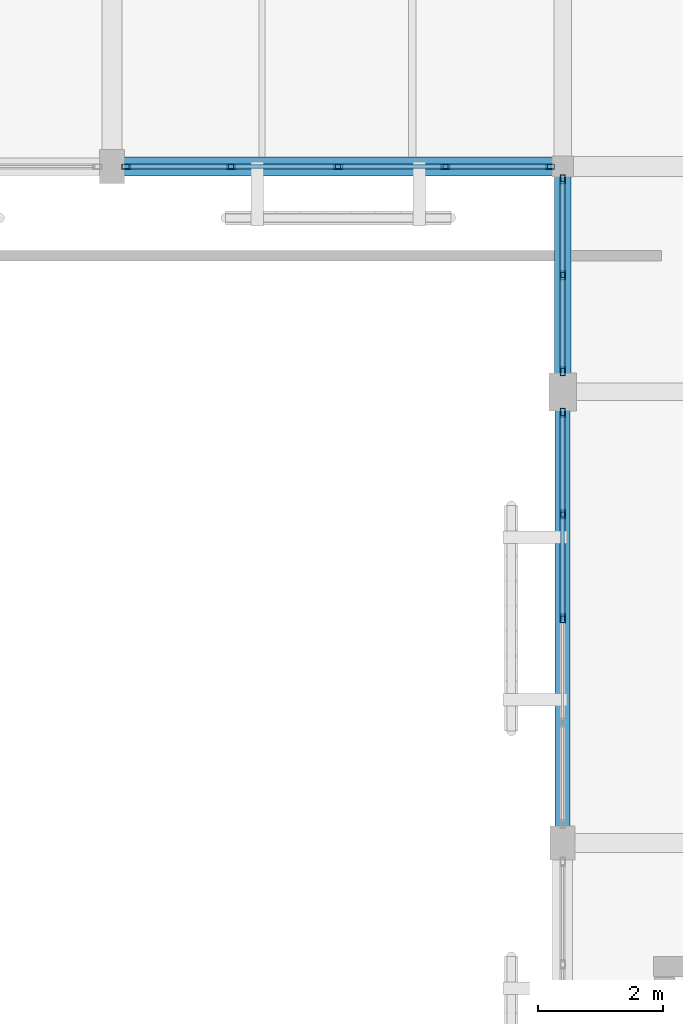
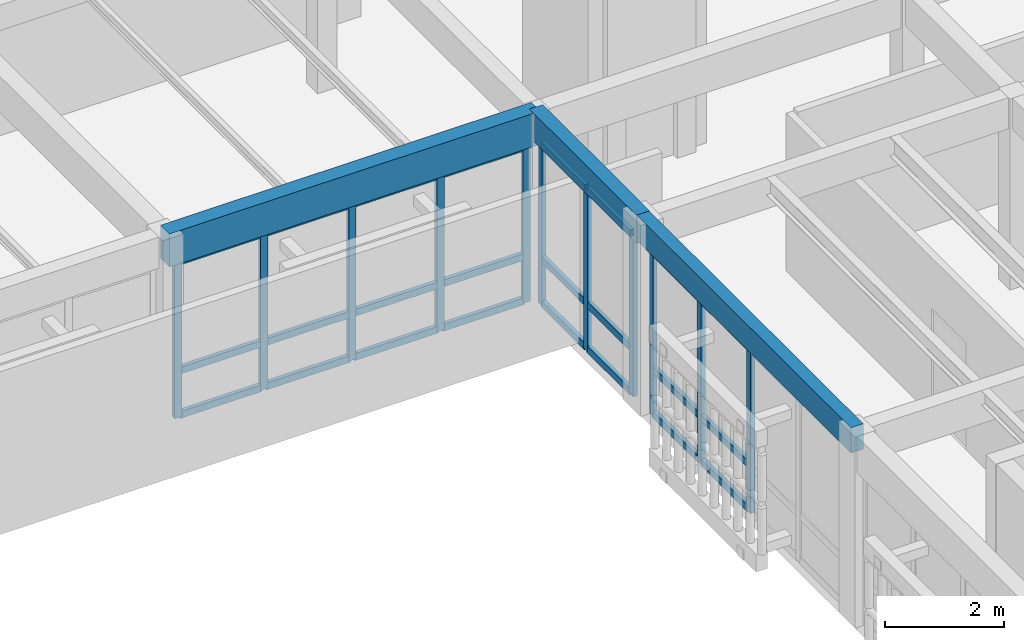
# One storey, part 154 of 217: 35 members, 3 beams, 3 elements without a shape of their own.
"""IFC4 building model written with IfcOpenShell, lengths in metres."""

from ifc_helpers import new_model, si_unit, direction, frame, origin, origin_2d, place, context, subcontext, project, spatial, rectangle, hollow_rectangle, extrude, material, layer, layer_set, material_profile, profile_set, type_object, element, aggregate, save


model = new_model("IFC4")

# Units and contexts
model_context = context("Model", 3, precision=1e-05, world=origin(), true_north=direction((0.0, 1.0)))
body_context = subcontext(model_context, "Body", "Model", "MODEL_VIEW")
ifc_project = project(units=[si_unit("LENGTHUNIT", "METRE"), si_unit("AREAUNIT", "SQUARE_METRE"), si_unit("VOLUMEUNIT", "CUBIC_METRE"), si_unit("PLANEANGLEUNIT", "RADIAN"), si_unit("MASSUNIT", "GRAM", prefix="KILO")], contexts=[model_context])

# Site, building, storey
site_placement = place(None, origin())
site = spatial("IfcSite", under=ifc_project, at=site_placement, CompositionType="ELEMENT")
building_placement = place(site_placement, origin())
building = spatial("IfcBuilding", under=site, at=building_placement, Name="Mazaris Harbour Polytechnic", CompositionType="ELEMENT")
storey_placement = place(building_placement, frame((0.0, 0.0, 9.60009765625)))
storey = spatial("IfcBuildingStorey", under=building, at=storey_placement, Name="L02", CompositionType="ELEMENT", Elevation=9.60009765625)

# Curtain wall, members
ifc_material_1 = material(Name="Anodised Bronze Aluminium and Low-E Glass", Category="aluminium")
ifc_layer = layer(ifc_material_1, 0.169921875, Name="Anodised Bronze Aluminium and Low-E Glass")
ifc_layer_set = layer_set([ifc_layer], Name="Anodised Bronze Aluminium and Low-E Glass")
curtain_wall_type = type_object("IfcCurtainWallType", Name="Studio North-Light Curtain Wall", PredefinedType="NOTDEFINED", material=ifc_layer_set)
curtain_wall_1_placement = place(storey_placement, origin())
curtain_wall_1 = element("IfcCurtainWall", 1, at=curtain_wall_1_placement, inside=storey, type_object=curtain_wall_type, Name="V5 L02 Curtain Wall 240", PredefinedType="NOTDEFINED")
ifc_material_2 = material(Name="Anodised Bronze Steel S355", Category="steel")
ifc_material_profile_1 = material_profile(ifc_material_2, hollow_rectangle(XDim=0.080078125, YDim=0.139892578125, WallThickness=0.00634765625, at=origin_2d()), Name="RHS 80x140x6.3")
ifc_profile_set_1 = profile_set([ifc_material_profile_1], Name="Anodised Bronze Steel S355")
member_type_1 = type_object("IfcMemberType", Name="Curtain Mullion RHS80x140", PredefinedType="MULLION", material=ifc_profile_set_1)
member_1_placement = place(storey_placement, frame((158.197998046875, 86.39990234375, 0.0), z_axis=(0.0, 0.0, 1.0), x_axis=(0.0, -1.0, 0.0)))
member_1 = element("IfcMember", 2, at=member_1_placement, type_object=member_type_1, Name="CW-03 mullion 1", PredefinedType="MULLION", context=body_context, shape_type="SweptSolid", body=[
    extrude(hollow_rectangle(XDim=0.080078125, YDim=0.139892578125, WallThickness=0.00634765625, at=origin_2d()), origin(), (0.0, 0.0, 1.0), 3.22998046875),
])
member_2_placement = place(storey_placement, frame((156.526611328125, 86.39990234375, 0.0), z_axis=(0.0, 0.0, 1.0), x_axis=(0.0, -1.0, 0.0)))
member_2 = element("IfcMember", 3, at=member_2_placement, type_object=member_type_1, Name="CW-03 mullion 2", PredefinedType="MULLION", context=body_context, shape_type="SweptSolid", body=[
    extrude(hollow_rectangle(XDim=0.080078125, YDim=0.139892578125, WallThickness=0.00634765625, at=origin_2d()), origin(), (0.0, 0.0, 1.0), 3.22998046875),
])
member_3_placement = place(storey_placement, frame((154.81494140625, 86.39990234375, 0.0), z_axis=(0.0, 0.0, 1.0), x_axis=(0.0, -1.0, 0.0)))
member_3 = element("IfcMember", 4, at=member_3_placement, type_object=member_type_1, Name="CW-03 mullion 3", PredefinedType="MULLION", context=body_context, shape_type="SweptSolid", body=[
    extrude(hollow_rectangle(XDim=0.080078125, YDim=0.139892578125, WallThickness=0.00634765625, at=origin_2d()), origin(), (0.0, 0.0, 1.0), 3.22998046875),
])
member_4_placement = place(storey_placement, frame((153.103515625, 86.39990234375, 0.0), z_axis=(0.0, 0.0, 1.0), x_axis=(0.0, -1.0, 0.0)))
member_4 = element("IfcMember", 5, at=member_4_placement, type_object=member_type_1, Name="CW-03 mullion 4", PredefinedType="MULLION", context=body_context, shape_type="SweptSolid", body=[
    extrude(hollow_rectangle(XDim=0.080078125, YDim=0.139892578125, WallThickness=0.00634765625, at=origin_2d()), origin(), (0.0, 0.0, 1.0), 3.22998046875),
])
member_5_placement = place(storey_placement, frame((151.431884765625, 86.39990234375, 0.0), z_axis=(0.0, 0.0, 1.0), x_axis=(0.0, -1.0, 0.0)))
member_5 = element("IfcMember", 6, at=member_5_placement, type_object=member_type_1, Name="CW-03 mullion 5", PredefinedType="MULLION", context=body_context, shape_type="SweptSolid", body=[
    extrude(hollow_rectangle(XDim=0.080078125, YDim=0.139892578125, WallThickness=0.00634765625, at=origin_2d()), origin(), (0.0, 0.0, 1.0), 3.22998046875),
])

curtain_wall_2_placement = place(storey_placement, origin())
curtain_wall_2 = element("IfcCurtainWall", 7, at=curtain_wall_2_placement, inside=storey, type_object=curtain_wall_type, Name="V5 L02 Curtain Wall 247", PredefinedType="NOTDEFINED")
member_6_placement = place(storey_placement, frame((158.39990234375, 82.468017578125, 0.0), z_axis=(0.0, 0.0, 1.0), x_axis=(1.0, 0.0, 0.0)))
member_6 = element("IfcMember", 8, at=member_6_placement, type_object=member_type_1, Name="CW-03 mullion 1", PredefinedType="MULLION", context=body_context, shape_type="SweptSolid", body=[
    extrude(hollow_rectangle(XDim=0.080078125, YDim=0.139892578125, WallThickness=0.00634765625, at=origin_2d()), origin(), (0.0, 0.0, 1.0), 3.389892578125),
])
member_7_placement = place(storey_placement, frame((158.39990234375, 80.846435546875, 0.0), z_axis=(0.0, 0.0, 1.0), x_axis=(1.0, 0.0, 0.0)))
member_7 = element("IfcMember", 9, at=member_7_placement, type_object=member_type_1, Name="CW-03 mullion 2", PredefinedType="MULLION", context=body_context, shape_type="SweptSolid", body=[
    extrude(hollow_rectangle(XDim=0.080078125, YDim=0.139892578125, WallThickness=0.00634765625, at=origin_2d()), origin(), (0.0, 0.0, 1.0), 3.389892578125),
])
member_8_placement = place(storey_placement, frame((158.39990234375, 79.18505859375, 0.0), z_axis=(0.0, 0.0, 1.0), x_axis=(1.0, 0.0, 0.0)))
member_8 = element("IfcMember", 10, at=member_8_placement, type_object=member_type_1, Name="CW-03 mullion 3", PredefinedType="MULLION", context=body_context, shape_type="SweptSolid", body=[
    extrude(hollow_rectangle(XDim=0.080078125, YDim=0.139892578125, WallThickness=0.00634765625, at=origin_2d()), origin(), (0.0, 0.0, 1.0), 3.389892578125),
])

curtain_wall_3_placement = place(storey_placement, origin())
curtain_wall_3 = element("IfcCurtainWall", 11, at=curtain_wall_3_placement, inside=storey, type_object=curtain_wall_type, Name="V5 L02 Curtain Wall 248", PredefinedType="NOTDEFINED")
member_9_placement = place(storey_placement, frame((158.39990234375, 86.197998046875, 0.0), z_axis=(0.0, 0.0, 1.0), x_axis=(1.0, 0.0, 0.0)))
member_9 = element("IfcMember", 12, at=member_9_placement, type_object=member_type_1, Name="CW-03 mullion 1", PredefinedType="MULLION", context=body_context, shape_type="SweptSolid", body=[
    extrude(hollow_rectangle(XDim=0.080078125, YDim=0.139892578125, WallThickness=0.00634765625, at=origin_2d()), origin(), (0.0, 0.0, 1.0), 3.329833984375),
])
member_10_placement = place(storey_placement, frame((158.39990234375, 84.6650390625, 0.0), z_axis=(0.0, 0.0, 1.0), x_axis=(1.0, 0.0, 0.0)))
member_10 = element("IfcMember", 13, at=member_10_placement, type_object=member_type_1, Name="CW-03 mullion 2", PredefinedType="MULLION", context=body_context, shape_type="SweptSolid", body=[
    extrude(hollow_rectangle(XDim=0.080078125, YDim=0.139892578125, WallThickness=0.00634765625, at=origin_2d()), origin(), (0.0, 0.0, 1.0), 3.329833984375),
])
member_11_placement = place(storey_placement, frame((158.39990234375, 83.132080078125, 0.0), z_axis=(0.0, 0.0, 1.0), x_axis=(1.0, 0.0, 0.0)))
member_11 = element("IfcMember", 14, at=member_11_placement, type_object=member_type_1, Name="CW-03 mullion 3", PredefinedType="MULLION", context=body_context, shape_type="SweptSolid", body=[
    extrude(hollow_rectangle(XDim=0.080078125, YDim=0.139892578125, WallThickness=0.00634765625, at=origin_2d()), origin(), (0.0, 0.0, 1.0), 3.329833984375),
])

# Member
ifc_material_3 = material(Name="Anodised Bronze Steel S355", Category="steel")
ifc_material_profile_2 = material_profile(ifc_material_3, hollow_rectangle(XDim=0.080078125, YDim=0.139892578125, WallThickness=0.00634765625, at=origin_2d()), Name="RHS 80x140x6.3")
ifc_profile_set_2 = profile_set([ifc_material_profile_2], Name="Anodised Bronze Steel S355")
member_type_2 = type_object("IfcMemberType", Name="Curtain Transom RHS80x140", PredefinedType="USERDEFINED", material=ifc_profile_set_2)
member_12_placement = place(storey_placement, frame((158.157958984375, 86.39990234375, 0.039794921875), z_axis=(-1.0, 0.0, 0.0), x_axis=(0.0, -1.0, 0.0)))
member_12 = element("IfcMember", 15, at=member_12_placement, type_object=member_type_2, Name="CW-03 transom 1.1", ObjectType="TRANSOM", PredefinedType="USERDEFINED", context=body_context, shape_type="SweptSolid", body=[
    extrude(hollow_rectangle(XDim=0.080078125, YDim=0.139892578125, WallThickness=0.00634765625, at=origin_2d()), origin(), (0.0, 0.0, 1.0), 1.591552734375),
])

member_13_placement = place(storey_placement, frame((158.157958984375, 86.39990234375, 0.949951171875), z_axis=(-1.0, 0.0, 0.0), x_axis=(0.0, -1.0, 0.0)))
member_13 = element("IfcMember", 16, at=member_13_placement, type_object=member_type_2, Name="CW-03 transom 1.2", ObjectType="TRANSOM", PredefinedType="USERDEFINED", context=body_context, shape_type="SweptSolid", body=[
    extrude(hollow_rectangle(XDim=0.080078125, YDim=0.139892578125, WallThickness=0.00634765625, at=origin_2d()), origin(), (0.0, 0.0, 1.0), 1.591552734375),
])

member_14_placement = place(storey_placement, frame((158.157958984375, 86.39990234375, 3.18994140625), z_axis=(-1.0, 0.0, 0.0), x_axis=(0.0, -1.0, 0.0)))
member_14 = element("IfcMember", 17, at=member_14_placement, type_object=member_type_2, Name="CW-03 transom 1.3", ObjectType="TRANSOM", PredefinedType="USERDEFINED", context=body_context, shape_type="SweptSolid", body=[
    extrude(hollow_rectangle(XDim=0.080078125, YDim=0.139892578125, WallThickness=0.00634765625, at=origin_2d()), origin(), (0.0, 0.0, 1.0), 1.591552734375),
])

member_15_placement = place(storey_placement, frame((156.486572265625, 86.39990234375, 0.039794921875), z_axis=(-1.0, 0.0, 0.0), x_axis=(0.0, -1.0, 0.0)))
member_15 = element("IfcMember", 18, at=member_15_placement, type_object=member_type_2, Name="CW-03 transom 2.1", ObjectType="TRANSOM", PredefinedType="USERDEFINED", context=body_context, shape_type="SweptSolid", body=[
    extrude(hollow_rectangle(XDim=0.080078125, YDim=0.139892578125, WallThickness=0.00634765625, at=origin_2d()), origin(), (0.0, 0.0, 1.0), 1.631591796875),
])

member_16_placement = place(storey_placement, frame((156.486572265625, 86.39990234375, 0.949951171875), z_axis=(-1.0, 0.0, 0.0), x_axis=(0.0, -1.0, 0.0)))
member_16 = element("IfcMember", 19, at=member_16_placement, type_object=member_type_2, Name="CW-03 transom 2.2", ObjectType="TRANSOM", PredefinedType="USERDEFINED", context=body_context, shape_type="SweptSolid", body=[
    extrude(hollow_rectangle(XDim=0.080078125, YDim=0.139892578125, WallThickness=0.00634765625, at=origin_2d()), origin(), (0.0, 0.0, 1.0), 1.631591796875),
])

member_17_placement = place(storey_placement, frame((156.486572265625, 86.39990234375, 3.18994140625), z_axis=(-1.0, 0.0, 0.0), x_axis=(0.0, -1.0, 0.0)))
member_17 = element("IfcMember", 20, at=member_17_placement, type_object=member_type_2, Name="CW-03 transom 2.3", ObjectType="TRANSOM", PredefinedType="USERDEFINED", context=body_context, shape_type="SweptSolid", body=[
    extrude(hollow_rectangle(XDim=0.080078125, YDim=0.139892578125, WallThickness=0.00634765625, at=origin_2d()), origin(), (0.0, 0.0, 1.0), 1.631591796875),
])

member_18_placement = place(storey_placement, frame((154.77490234375, 86.39990234375, 0.039794921875), z_axis=(-1.0, 0.0, 0.0), x_axis=(0.0, -1.0, 0.0)))
member_18 = element("IfcMember", 21, at=member_18_placement, type_object=member_type_2, Name="CW-03 transom 3.1", ObjectType="TRANSOM", PredefinedType="USERDEFINED", context=body_context, shape_type="SweptSolid", body=[
    extrude(hollow_rectangle(XDim=0.080078125, YDim=0.139892578125, WallThickness=0.00634765625, at=origin_2d()), origin(), (0.0, 0.0, 1.0), 1.63134765625),
])

member_19_placement = place(storey_placement, frame((154.77490234375, 86.39990234375, 0.949951171875), z_axis=(-1.0, 0.0, 0.0), x_axis=(0.0, -1.0, 0.0)))
member_19 = element("IfcMember", 22, at=member_19_placement, type_object=member_type_2, Name="CW-03 transom 3.2", ObjectType="TRANSOM", PredefinedType="USERDEFINED", context=body_context, shape_type="SweptSolid", body=[
    extrude(hollow_rectangle(XDim=0.080078125, YDim=0.139892578125, WallThickness=0.00634765625, at=origin_2d()), origin(), (0.0, 0.0, 1.0), 1.63134765625),
])

member_20_placement = place(storey_placement, frame((154.77490234375, 86.39990234375, 3.18994140625), z_axis=(-1.0, 0.0, 0.0), x_axis=(0.0, -1.0, 0.0)))
member_20 = element("IfcMember", 23, at=member_20_placement, type_object=member_type_2, Name="CW-03 transom 3.3", ObjectType="TRANSOM", PredefinedType="USERDEFINED", context=body_context, shape_type="SweptSolid", body=[
    extrude(hollow_rectangle(XDim=0.080078125, YDim=0.139892578125, WallThickness=0.00634765625, at=origin_2d()), origin(), (0.0, 0.0, 1.0), 1.63134765625),
])

member_21_placement = place(storey_placement, frame((153.0634765625, 86.39990234375, 0.039794921875), z_axis=(-1.0, 0.0, 0.0), x_axis=(0.0, -1.0, 0.0)))
member_21 = element("IfcMember", 24, at=member_21_placement, type_object=member_type_2, Name="CW-03 transom 4.1", ObjectType="TRANSOM", PredefinedType="USERDEFINED", context=body_context, shape_type="SweptSolid", body=[
    extrude(hollow_rectangle(XDim=0.080078125, YDim=0.139892578125, WallThickness=0.00634765625, at=origin_2d()), origin(), (0.0, 0.0, 1.0), 1.591552734375),
])

member_22_placement = place(storey_placement, frame((153.0634765625, 86.39990234375, 0.949951171875), z_axis=(-1.0, 0.0, 0.0), x_axis=(0.0, -1.0, 0.0)))
member_22 = element("IfcMember", 25, at=member_22_placement, type_object=member_type_2, Name="CW-03 transom 4.2", ObjectType="TRANSOM", PredefinedType="USERDEFINED", context=body_context, shape_type="SweptSolid", body=[
    extrude(hollow_rectangle(XDim=0.080078125, YDim=0.139892578125, WallThickness=0.00634765625, at=origin_2d()), origin(), (0.0, 0.0, 1.0), 1.591552734375),
])

member_23_placement = place(storey_placement, frame((153.0634765625, 86.39990234375, 3.18994140625), z_axis=(-1.0, 0.0, 0.0), x_axis=(0.0, -1.0, 0.0)))
member_23 = element("IfcMember", 26, at=member_23_placement, type_object=member_type_2, Name="CW-03 transom 4.3", ObjectType="TRANSOM", PredefinedType="USERDEFINED", context=body_context, shape_type="SweptSolid", body=[
    extrude(hollow_rectangle(XDim=0.080078125, YDim=0.139892578125, WallThickness=0.00634765625, at=origin_2d()), origin(), (0.0, 0.0, 1.0), 1.591552734375),
])

aggregate(curtain_wall_1, [member_1, member_2, member_3, member_4, member_5, member_12, member_13, member_14, member_15, member_16, member_17, member_18, member_19, member_20, member_21, member_22, member_23])

member_24_placement = place(storey_placement, frame((158.39990234375, 82.427978515625, 0.039794921875), z_axis=(0.0, -1.0, 0.0), x_axis=(1.0, 0.0, 0.0)))
member_24 = element("IfcMember", 27, at=member_24_placement, type_object=member_type_2, Name="CW-03 transom 1.1", ObjectType="TRANSOM", PredefinedType="USERDEFINED", context=body_context, shape_type="SweptSolid", body=[
    extrude(hollow_rectangle(XDim=0.080078125, YDim=0.139892578125, WallThickness=0.00634765625, at=origin_2d()), origin(), (0.0, 0.0, 1.0), 1.54150390625),
])

member_25_placement = place(storey_placement, frame((158.39990234375, 82.427978515625, 0.949951171875), z_axis=(0.0, -1.0, 0.0), x_axis=(1.0, 0.0, 0.0)))
member_25 = element("IfcMember", 28, at=member_25_placement, type_object=member_type_2, Name="CW-03 transom 1.2", ObjectType="TRANSOM", PredefinedType="USERDEFINED", context=body_context, shape_type="SweptSolid", body=[
    extrude(hollow_rectangle(XDim=0.080078125, YDim=0.139892578125, WallThickness=0.00634765625, at=origin_2d()), origin(), (0.0, 0.0, 1.0), 1.54150390625),
])

member_26_placement = place(storey_placement, frame((158.39990234375, 82.427978515625, 3.349853515625), z_axis=(0.0, -1.0, 0.0), x_axis=(1.0, 0.0, 0.0)))
member_26 = element("IfcMember", 29, at=member_26_placement, type_object=member_type_2, Name="CW-03 transom 1.3", ObjectType="TRANSOM", PredefinedType="USERDEFINED", context=body_context, shape_type="SweptSolid", body=[
    extrude(hollow_rectangle(XDim=0.080078125, YDim=0.139892578125, WallThickness=0.00634765625, at=origin_2d()), origin(), (0.0, 0.0, 1.0), 1.54150390625),
])

member_27_placement = place(storey_placement, frame((158.39990234375, 80.806396484375, 0.039794921875), z_axis=(0.0, -1.0, 0.0), x_axis=(1.0, 0.0, 0.0)))
member_27 = element("IfcMember", 30, at=member_27_placement, type_object=member_type_2, Name="CW-03 transom 2.1", ObjectType="TRANSOM", PredefinedType="USERDEFINED", context=body_context, shape_type="SweptSolid", body=[
    extrude(hollow_rectangle(XDim=0.080078125, YDim=0.139892578125, WallThickness=0.00634765625, at=origin_2d()), origin(), (0.0, 0.0, 1.0), 1.581298828125),
])

member_28_placement = place(storey_placement, frame((158.39990234375, 80.806396484375, 0.949951171875), z_axis=(0.0, -1.0, 0.0), x_axis=(1.0, 0.0, 0.0)))
member_28 = element("IfcMember", 31, at=member_28_placement, type_object=member_type_2, Name="CW-03 transom 2.2", ObjectType="TRANSOM", PredefinedType="USERDEFINED", context=body_context, shape_type="SweptSolid", body=[
    extrude(hollow_rectangle(XDim=0.080078125, YDim=0.139892578125, WallThickness=0.00634765625, at=origin_2d()), origin(), (0.0, 0.0, 1.0), 1.581298828125),
])

member_29_placement = place(storey_placement, frame((158.39990234375, 80.806396484375, 3.349853515625), z_axis=(0.0, -1.0, 0.0), x_axis=(1.0, 0.0, 0.0)))
member_29 = element("IfcMember", 32, at=member_29_placement, type_object=member_type_2, Name="CW-03 transom 2.3", ObjectType="TRANSOM", PredefinedType="USERDEFINED", context=body_context, shape_type="SweptSolid", body=[
    extrude(hollow_rectangle(XDim=0.080078125, YDim=0.139892578125, WallThickness=0.00634765625, at=origin_2d()), origin(), (0.0, 0.0, 1.0), 1.581298828125),
])

aggregate(curtain_wall_2, [member_6, member_7, member_8, member_24, member_25, member_26, member_27, member_28, member_29])

member_30_placement = place(storey_placement, frame((158.39990234375, 86.157958984375, 0.039794921875), z_axis=(0.0, -1.0, 0.0), x_axis=(1.0, 0.0, 0.0)))
member_30 = element("IfcMember", 33, at=member_30_placement, type_object=member_type_2, Name="CW-03 transom 1.1", ObjectType="TRANSOM", PredefinedType="USERDEFINED", context=body_context, shape_type="SweptSolid", body=[
    extrude(hollow_rectangle(XDim=0.080078125, YDim=0.139892578125, WallThickness=0.00634765625, at=origin_2d()), origin(), (0.0, 0.0, 1.0), 1.452880859375),
])

member_31_placement = place(storey_placement, frame((158.39990234375, 86.157958984375, 0.949951171875), z_axis=(0.0, -1.0, 0.0), x_axis=(1.0, 0.0, 0.0)))
member_31 = element("IfcMember", 34, at=member_31_placement, type_object=member_type_2, Name="CW-03 transom 1.2", ObjectType="TRANSOM", PredefinedType="USERDEFINED", context=body_context, shape_type="SweptSolid", body=[
    extrude(hollow_rectangle(XDim=0.080078125, YDim=0.139892578125, WallThickness=0.00634765625, at=origin_2d()), origin(), (0.0, 0.0, 1.0), 1.452880859375),
])

member_32_placement = place(storey_placement, frame((158.39990234375, 86.157958984375, 3.289794921875), z_axis=(0.0, -1.0, 0.0), x_axis=(1.0, 0.0, 0.0)))
member_32 = element("IfcMember", 35, at=member_32_placement, type_object=member_type_2, Name="CW-03 transom 1.3", ObjectType="TRANSOM", PredefinedType="USERDEFINED", context=body_context, shape_type="SweptSolid", body=[
    extrude(hollow_rectangle(XDim=0.080078125, YDim=0.139892578125, WallThickness=0.00634765625, at=origin_2d()), origin(), (0.0, 0.0, 1.0), 1.452880859375),
])

member_33_placement = place(storey_placement, frame((158.39990234375, 84.625, 0.039794921875), z_axis=(0.0, -1.0, 0.0), x_axis=(1.0, 0.0, 0.0)))
member_33 = element("IfcMember", 36, at=member_33_placement, type_object=member_type_2, Name="CW-03 transom 2.1", ObjectType="TRANSOM", PredefinedType="USERDEFINED", context=body_context, shape_type="SweptSolid", body=[
    extrude(hollow_rectangle(XDim=0.080078125, YDim=0.139892578125, WallThickness=0.00634765625, at=origin_2d()), origin(), (0.0, 0.0, 1.0), 1.452880859375),
])

member_34_placement = place(storey_placement, frame((158.39990234375, 84.625, 0.949951171875), z_axis=(0.0, -1.0, 0.0), x_axis=(1.0, 0.0, 0.0)))
member_34 = element("IfcMember", 37, at=member_34_placement, type_object=member_type_2, Name="CW-03 transom 2.2", ObjectType="TRANSOM", PredefinedType="USERDEFINED", context=body_context, shape_type="SweptSolid", body=[
    extrude(hollow_rectangle(XDim=0.080078125, YDim=0.139892578125, WallThickness=0.00634765625, at=origin_2d()), origin(), (0.0, 0.0, 1.0), 1.452880859375),
])

member_35_placement = place(storey_placement, frame((158.39990234375, 84.625, 3.289794921875), z_axis=(0.0, -1.0, 0.0), x_axis=(1.0, 0.0, 0.0)))
member_35 = element("IfcMember", 38, at=member_35_placement, type_object=member_type_2, Name="CW-03 transom 2.3", ObjectType="TRANSOM", PredefinedType="USERDEFINED", context=body_context, shape_type="SweptSolid", body=[
    extrude(hollow_rectangle(XDim=0.080078125, YDim=0.139892578125, WallThickness=0.00634765625, at=origin_2d()), origin(), (0.0, 0.0, 1.0), 1.452880859375),
])

aggregate(curtain_wall_3, [member_9, member_10, member_11, member_30, member_31, member_32, member_33, member_34, member_35])

# Beams
ifc_material_4 = material(Name="Glulam GL32h", Category="wood")
ifc_material_profile_3 = material_profile(ifc_material_4, rectangle(XDim=0.239990234375, YDim=0.52001953125, at=origin_2d()), Name="RECT240x520")
ifc_profile_set_3 = profile_set([ifc_material_profile_3], Name="Glulam GL32h")
beam_type_1 = type_object("IfcBeamType", Name="Glulam Girder 240x520", PredefinedType="BEAM", material=ifc_profile_set_3)
beam_1_placement = place(storey_placement, frame((158.39990234375, 75.60009765625, 3.659912109375), z_axis=(0.0, 1.0, 0.0), x_axis=(-1.0, 0.0, 0.0)))
element("IfcBeam", 39, at=beam_1_placement, inside=storey, type_object=beam_type_1, Name="V5 L02 Tie Girder 3205", PredefinedType="BEAM", context=body_context, shape_type="SweptSolid", body=[
    extrude(rectangle(XDim=0.239990234375, YDim=0.52001953125, at=origin_2d()), origin(), (0.0, 0.0, 1.0), 7.199951171875),
])
ifc_material_5 = material(Name="Glulam GL32h", Category="wood")
ifc_material_profile_4 = material_profile(ifc_material_5, rectangle(XDim=0.260009765625, YDim=0.580078125, at=origin_2d()), Name="RECT260x580")
ifc_profile_set_4 = profile_set([ifc_material_profile_4], Name="Glulam GL32h")
beam_type_2 = type_object("IfcBeamType", Name="Glulam Girder 260x580", PredefinedType="BEAM", material=ifc_profile_set_4)
beam_2_placement = place(storey_placement, frame((158.39990234375, 82.800048828125, 3.6298828125), z_axis=(0.0, 1.0, 0.0), x_axis=(-1.0, 0.0, 0.0)))
element("IfcBeam", 40, at=beam_2_placement, inside=storey, type_object=beam_type_2, Name="V5 L02 Tie Girder 3206", PredefinedType="BEAM", context=body_context, shape_type="SweptSolid", body=[
    extrude(rectangle(XDim=0.260009765625, YDim=0.580078125, at=origin_2d()), origin(), (0.0, 0.0, 1.0), 3.599853515625),
])
ifc_material_6 = material(Name="Glulam GL32h", Category="wood")
ifc_material_profile_5 = material_profile(ifc_material_6, rectangle(XDim=0.300048828125, YDim=0.679931640625, at=origin_2d()), Name="RECT300x680")
ifc_profile_set_5 = profile_set([ifc_material_profile_5], Name="Glulam GL32h")
beam_type_3 = type_object("IfcBeamType", Name="Glulam Girder 300x680", PredefinedType="BEAM", material=ifc_profile_set_5)
beam_3_placement = place(storey_placement, frame((151.199951171875, 86.39990234375, 3.579833984375), z_axis=(1.0, 0.0, 0.0), x_axis=(0.0, 1.0, 0.0)))
element("IfcBeam", 41, at=beam_3_placement, inside=storey, type_object=beam_type_3, Name="V5 L02 Girder 3153", PredefinedType="BEAM", context=body_context, shape_type="SweptSolid", body=[
    extrude(rectangle(XDim=0.300048828125, YDim=0.679931640625, at=origin_2d()), origin(), (0.0, 0.0, 1.0), 7.199951171875),
])

save(model, "model.ifc")
